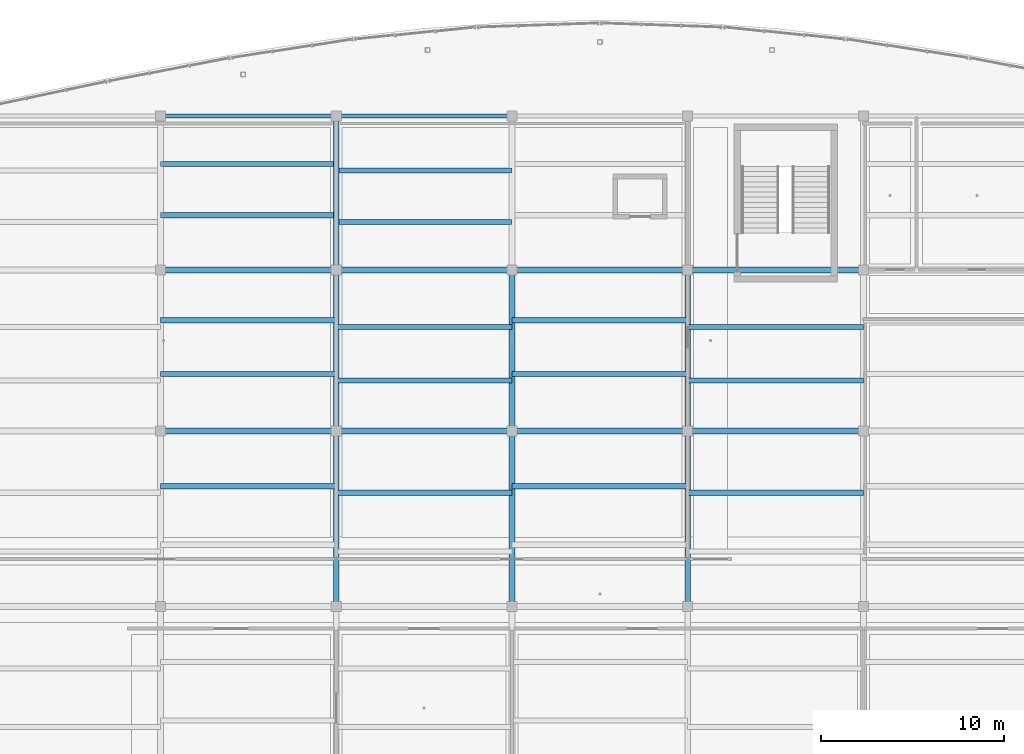
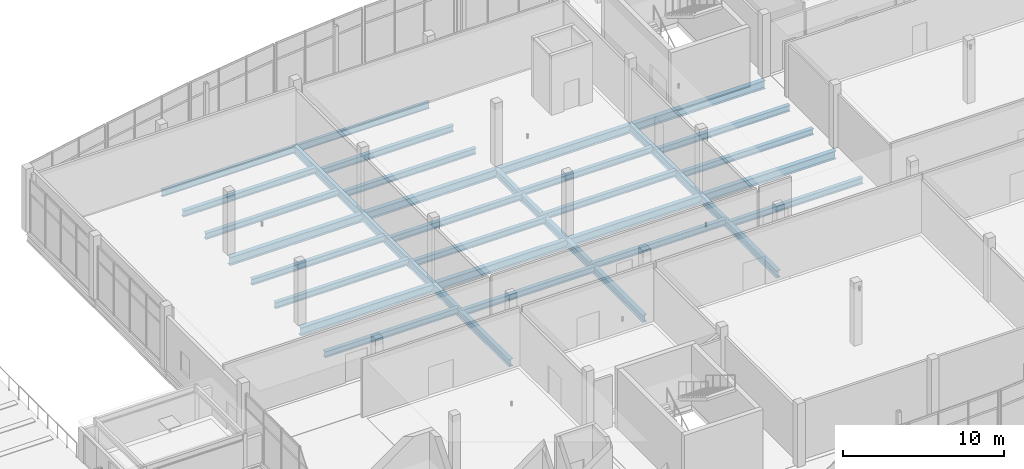
# One storey, part 93 of 157: 33 beams.
"""IFC4 building model written with IfcOpenShell, lengths in metres."""

from ifc_helpers import new_model, si_unit, direction, frame, origin, origin_2d, place, context, subcontext, project, spatial, i_section, extrude, material, material_profile, profile_set, type_object, element, save


model = new_model("IFC4")

# Units and contexts
model_context = context("Model", 3, precision=1e-05, world=origin(), true_north=direction((0.0, 1.0)))
body_context = subcontext(model_context, "Body", "Model", "MODEL_VIEW")
ifc_project = project(units=[si_unit("LENGTHUNIT", "METRE"), si_unit("AREAUNIT", "SQUARE_METRE"), si_unit("VOLUMEUNIT", "CUBIC_METRE"), si_unit("PLANEANGLEUNIT", "RADIAN"), si_unit("MASSUNIT", "GRAM", prefix="KILO")], contexts=[model_context])

# Site, building, storey
site_placement = place(None, origin())
site = spatial("IfcSite", under=ifc_project, at=site_placement, CompositionType="ELEMENT")
building_placement = place(site_placement, origin())
building = spatial("IfcBuilding", under=site, at=building_placement, Name="Chalmorin Arch Market", CompositionType="ELEMENT")
storey_placement = place(building_placement, frame((0.0, 0.0, 4.800048828125)))
storey = spatial("IfcBuildingStorey", under=building, at=storey_placement, Name="L01", CompositionType="ELEMENT", Elevation=4.800048828125)

# Beams
ifc_material = material(Name="Steel A992 Grade 50", Category="steel")
ifc_material_profile_1 = material_profile(ifc_material, i_section(OverallWidth=0.326904296875, OverallDepth=0.6220703125, WebThickness=0.015380859375, FlangeThickness=0.0244140625, FilletRadius=0.02392578125, at=origin_2d()), Name="W24X131")
ifc_profile_set_1 = profile_set([ifc_material_profile_1], Name="Steel A992 Grade 50")
beam_type_1 = type_object("IfcBeamType", Name="HeavyFloorGirder-W24X131", PredefinedType="BEAM", material=ifc_profile_set_1)
for number, where, z_axis, x_axis, name in (
    (1, (57.60009765625, 100.800048828125, -0.633056640625), (1.0, 0.0, 0.0), (0.0, 1.0, 0.0), "BG-W24C-0899"),
    (2, (57.60009765625, 109.60009765625, -0.633056640625), (1.0, 0.0, 0.0), (0.0, 1.0, 0.0), "BG-W24C-0901"),
):
    element("IfcBeam", number, at=place(storey_placement, frame(where, z_axis=z_axis, x_axis=x_axis)), inside=storey, type_object=beam_type_1, Name=name, PredefinedType="BEAM", context=body_context, shape_type="SweptSolid", body=[
        extrude(i_section(OverallWidth=0.326904296875, OverallDepth=0.6220703125, WebThickness=0.015380859375, FlangeThickness=0.0244140625, FilletRadius=0.02392578125, at=origin_2d()), origin(), (0.0, 0.0, 1.0), 9.599853515625),
    ])
for number, where, z_axis, x_axis, name in (
    (3, (67.199951171875, 100.800048828125, -0.633056640625), (1.0, 0.0, 0.0), (0.0, 1.0, 0.0), "BG-W24C-0910"),
    (4, (67.199951171875, 109.60009765625, -0.633056640625), (1.0, 0.0, 0.0), (0.0, 1.0, 0.0), "BG-W24C-0912"),
):
    element("IfcBeam", number, at=place(storey_placement, frame(where, z_axis=z_axis, x_axis=x_axis)), inside=storey, type_object=beam_type_1, Name=name, PredefinedType="BEAM", context=body_context, shape_type="SweptSolid", body=[
        extrude(i_section(OverallWidth=0.326904296875, OverallDepth=0.6220703125, WebThickness=0.015380859375, FlangeThickness=0.0244140625, FilletRadius=0.02392578125, at=origin_2d()), origin(), (0.0, 0.0, 1.0), 9.60009765625),
    ])
for number, where, z_axis, x_axis, name in (
    (5, (76.800048828125, 100.800048828125, -0.633056640625), (1.0, 0.0, 0.0), (0.0, 1.0, 0.0), "BG-W24C-0921"),
    (6, (76.800048828125, 109.60009765625, -0.633056640625), (1.0, 0.0, 0.0), (0.0, 1.0, 0.0), "BG-W24C-0923"),
):
    element("IfcBeam", number, at=place(storey_placement, frame(where, z_axis=z_axis, x_axis=x_axis)), inside=storey, type_object=beam_type_1, Name=name, PredefinedType="BEAM", context=body_context, shape_type="SweptSolid", body=[
        extrude(i_section(OverallWidth=0.326904296875, OverallDepth=0.6220703125, WebThickness=0.015380859375, FlangeThickness=0.0244140625, FilletRadius=0.02392578125, at=origin_2d()), origin(), (0.0, 0.0, 1.0), 9.599853515625),
    ])
for number, where, z_axis, x_axis, name in (
    (7, (86.39990234375, 100.800048828125, -0.633056640625), (1.0, 0.0, 0.0), (0.0, 1.0, 0.0), "BG-W24C-0932"),
    (8, (86.39990234375, 109.60009765625, -0.633056640625), (1.0, 0.0, 0.0), (0.0, 1.0, 0.0), "BG-W24C-0934"),
):
    element("IfcBeam", number, at=place(storey_placement, frame(where, z_axis=z_axis, x_axis=x_axis)), inside=storey, type_object=beam_type_1, Name=name, PredefinedType="BEAM", context=body_context, shape_type="SweptSolid", body=[
        extrude(i_section(OverallWidth=0.326904296875, OverallDepth=0.6220703125, WebThickness=0.015380859375, FlangeThickness=0.0244140625, FilletRadius=0.02392578125, at=origin_2d()), origin(), (0.0, 0.0, 1.0), 9.60009765625),
    ])
ifc_material_profile_2 = material_profile(ifc_material, i_section(OverallWidth=0.31201171875, OverallDepth=0.54296875, WebThickness=0.0126953125, FlangeThickness=0.020263671875, FilletRadius=0.02197265625, at=origin_2d()), Name="W21X101")
ifc_profile_set_2 = profile_set([ifc_material_profile_2], Name="Steel A992 Grade 50")
beam_type_2 = type_object("IfcBeamType", Name="KitchenSteelGirder-W21X101", PredefinedType="BEAM", material=ifc_profile_set_2)
beam_1_placement = place(storey_placement, frame((67.199951171875, 91.199951171875, -0.593505859375), z_axis=(0.0, 1.0, 0.0), x_axis=(-1.0, 0.0, 0.0)))
element("IfcBeam", 9, at=beam_1_placement, inside=storey, type_object=beam_type_2, Name="BG-W21C-0900", PredefinedType="BEAM", context=body_context, shape_type="SweptSolid", body=[
    extrude(i_section(OverallWidth=0.31201171875, OverallDepth=0.54296875, WebThickness=0.0126953125, FlangeThickness=0.020263671875, FilletRadius=0.02197265625, at=origin_2d()), origin(), (0.0, 0.0, 1.0), 9.60009765625),
])
beam_2_placement = place(storey_placement, frame((67.199951171875, 100.800048828125, -0.593505859375), z_axis=(0.0, 1.0, 0.0), x_axis=(-1.0, 0.0, 0.0)))
element("IfcBeam", 10, at=beam_2_placement, inside=storey, type_object=beam_type_2, Name="BG-W21C-0902", PredefinedType="BEAM", context=body_context, shape_type="SweptSolid", body=[
    extrude(i_section(OverallWidth=0.31201171875, OverallDepth=0.54296875, WebThickness=0.0126953125, FlangeThickness=0.020263671875, FilletRadius=0.02197265625, at=origin_2d()), origin(), (0.0, 0.0, 1.0), 8.800048828125),
])
beam_3_placement = place(storey_placement, frame((67.199951171875, 109.60009765625, -0.593505859375), z_axis=(0.0, 1.0, 0.0), x_axis=(-1.0, 0.0, 0.0)))
element("IfcBeam", 11, at=beam_3_placement, inside=storey, type_object=beam_type_2, Name="BG-W21C-0904", PredefinedType="BEAM", context=body_context, shape_type="SweptSolid", body=[
    extrude(i_section(OverallWidth=0.31201171875, OverallDepth=0.54296875, WebThickness=0.0126953125, FlangeThickness=0.020263671875, FilletRadius=0.02197265625, at=origin_2d()), origin(), (0.0, 0.0, 1.0), 8.39990234375),
])
beam_4_placement = place(storey_placement, frame((76.800048828125, 91.199951171875, -0.593505859375), z_axis=(0.0, 1.0, 0.0), x_axis=(-1.0, 0.0, 0.0)))
element("IfcBeam", 12, at=beam_4_placement, inside=storey, type_object=beam_type_2, Name="BG-W21C-0911", PredefinedType="BEAM", context=body_context, shape_type="SweptSolid", body=[
    extrude(i_section(OverallWidth=0.31201171875, OverallDepth=0.54296875, WebThickness=0.0126953125, FlangeThickness=0.020263671875, FilletRadius=0.02197265625, at=origin_2d()), origin(), (0.0, 0.0, 1.0), 9.60009765625),
])
beam_5_placement = place(storey_placement, frame((76.800048828125, 100.800048828125, -0.593505859375), z_axis=(0.0, 1.0, 0.0), x_axis=(-1.0, 0.0, 0.0)))
element("IfcBeam", 13, at=beam_5_placement, inside=storey, type_object=beam_type_2, Name="BG-W21C-0913", PredefinedType="BEAM", context=body_context, shape_type="SweptSolid", body=[
    extrude(i_section(OverallWidth=0.31201171875, OverallDepth=0.54296875, WebThickness=0.0126953125, FlangeThickness=0.020263671875, FilletRadius=0.02197265625, at=origin_2d()), origin(), (0.0, 0.0, 1.0), 8.800048828125),
])
beam_6_placement = place(storey_placement, frame((86.39990234375, 91.199951171875, -0.593505859375), z_axis=(0.0, 1.0, 0.0), x_axis=(-1.0, 0.0, 0.0)))
element("IfcBeam", 14, at=beam_6_placement, inside=storey, type_object=beam_type_2, Name="BG-W21C-0922", PredefinedType="BEAM", context=body_context, shape_type="SweptSolid", body=[
    extrude(i_section(OverallWidth=0.31201171875, OverallDepth=0.54296875, WebThickness=0.0126953125, FlangeThickness=0.020263671875, FilletRadius=0.02197265625, at=origin_2d()), origin(), (0.0, 0.0, 1.0), 9.60009765625),
])
beam_7_placement = place(storey_placement, frame((86.39990234375, 100.800048828125, -0.593505859375), z_axis=(0.0, 1.0, 0.0), x_axis=(-1.0, 0.0, 0.0)))
element("IfcBeam", 15, at=beam_7_placement, inside=storey, type_object=beam_type_2, Name="BG-W21C-0924", PredefinedType="BEAM", context=body_context, shape_type="SweptSolid", body=[
    extrude(i_section(OverallWidth=0.31201171875, OverallDepth=0.54296875, WebThickness=0.0126953125, FlangeThickness=0.020263671875, FilletRadius=0.02197265625, at=origin_2d()), origin(), (0.0, 0.0, 1.0), 8.800048828125),
])
ifc_material_profile_3 = material_profile(ifc_material, i_section(OverallWidth=0.208984375, OverallDepth=0.532958984375, WebThickness=0.01025390625, FlangeThickness=0.015625, FilletRadius=0.02197265625, at=origin_2d()), Name="W21X62")
ifc_profile_set_3 = profile_set([ifc_material_profile_3], Name="Steel A992 Grade 50")
beam_type_3 = type_object("IfcBeamType", Name="PerimeterSpandrelBeam-W21X62", PredefinedType="SPANDREL", material=ifc_profile_set_3)
beam_8_placement = place(storey_placement, frame((57.60009765625, 118.0, -0.588623046875), z_axis=(1.0, 0.0, 0.0), x_axis=(0.0, 1.0, 0.0)))
element("IfcBeam", 16, at=beam_8_placement, inside=storey, type_object=beam_type_3, Name="SP-W21-0903", PredefinedType="SPANDREL", context=body_context, shape_type="SweptSolid", body=[
    extrude(i_section(OverallWidth=0.208984375, OverallDepth=0.532958984375, WebThickness=0.01025390625, FlangeThickness=0.015625, FilletRadius=0.02197265625, at=origin_2d()), origin(), (0.0, 0.0, 1.0), 9.599853515625),
])
beam_9_placement = place(storey_placement, frame((67.199951171875, 118.0, -0.588623046875), z_axis=(1.0, 0.0, 0.0), x_axis=(0.0, 1.0, 0.0)))
element("IfcBeam", 17, at=beam_9_placement, inside=storey, type_object=beam_type_3, Name="SP-W21-0914", PredefinedType="SPANDREL", context=body_context, shape_type="SweptSolid", body=[
    extrude(i_section(OverallWidth=0.208984375, OverallDepth=0.532958984375, WebThickness=0.01025390625, FlangeThickness=0.015625, FilletRadius=0.02197265625, at=origin_2d()), origin(), (0.0, 0.0, 1.0), 9.60009765625),
])
ifc_material_profile_4 = material_profile(ifc_material, i_section(OverallWidth=0.280029296875, OverallDepth=0.462890625, WebThickness=0.0107421875, FlangeThickness=0.017333984375, FilletRadius=0.02001953125, at=origin_2d()), Name="W18X76")
ifc_profile_set_4 = profile_set([ifc_material_profile_4], Name="Steel A992 Grade 50")
beam_type_4 = type_object("IfcBeamType", Name="WorkshopSteelBeam-W18X76", PredefinedType="BEAM", material=ifc_profile_set_4)
for number, where, z_axis, x_axis, name in (
    (18, (57.60009765625, 97.780029296875, -0.553466796875), (1.0, 0.0, 0.0), (0.0, 1.0, 0.0), "BM-W18C-0973"),
    (19, (57.60009765625, 103.913330078125, -0.553466796875), (1.0, 0.0, 0.0), (0.0, 1.0, 0.0), "BM-W18C-0974"),
    (20, (57.60009765625, 106.8466796875, -0.553466796875), (1.0, 0.0, 0.0), (0.0, 1.0, 0.0), "BM-W18C-0975"),
    (21, (57.60009765625, 112.580078125, -0.553466796875), (1.0, 0.0, 0.0), (0.0, 1.0, 0.0), "BM-W18C-0976"),
    (22, (57.60009765625, 115.3798828125, -0.553466796875), (1.0, 0.0, 0.0), (0.0, 1.0, 0.0), "BM-W18C-0977"),
):
    element("IfcBeam", number, at=place(storey_placement, frame(where, z_axis=z_axis, x_axis=x_axis)), inside=storey, type_object=beam_type_4, Name=name, PredefinedType="BEAM", context=body_context, shape_type="SweptSolid", body=[
        extrude(i_section(OverallWidth=0.280029296875, OverallDepth=0.462890625, WebThickness=0.0107421875, FlangeThickness=0.017333984375, FilletRadius=0.02001953125, at=origin_2d()), origin(), (0.0, 0.0, 1.0), 9.599853515625),
    ])
for number, where, z_axis, x_axis, name in (
    (23, (67.199951171875, 97.419921875, -0.553466796875), (1.0, 0.0, 0.0), (0.0, 1.0, 0.0), "BM-W18C-0981"),
    (24, (67.199951171875, 103.55322265625, -0.553466796875), (1.0, 0.0, 0.0), (0.0, 1.0, 0.0), "BM-W18C-0982"),
    (25, (67.199951171875, 106.48681640625, -0.553466796875), (1.0, 0.0, 0.0), (0.0, 1.0, 0.0), "BM-W18C-0983"),
    (26, (67.199951171875, 112.219970703125, -0.553466796875), (1.0, 0.0, 0.0), (0.0, 1.0, 0.0), "BM-W18C-0984"),
    (27, (67.199951171875, 115.02001953125, -0.553466796875), (1.0, 0.0, 0.0), (0.0, 1.0, 0.0), "BM-W18C-0985"),
):
    element("IfcBeam", number, at=place(storey_placement, frame(where, z_axis=z_axis, x_axis=x_axis)), inside=storey, type_object=beam_type_4, Name=name, PredefinedType="BEAM", context=body_context, shape_type="SweptSolid", body=[
        extrude(i_section(OverallWidth=0.280029296875, OverallDepth=0.462890625, WebThickness=0.0107421875, FlangeThickness=0.017333984375, FilletRadius=0.02001953125, at=origin_2d()), origin(), (0.0, 0.0, 1.0), 9.60009765625),
    ])
for number, where, z_axis, x_axis, name in (
    (28, (76.800048828125, 97.780029296875, -0.553466796875), (1.0, 0.0, 0.0), (0.0, 1.0, 0.0), "BM-W18C-0991"),
    (29, (76.800048828125, 103.913330078125, -0.553466796875), (1.0, 0.0, 0.0), (0.0, 1.0, 0.0), "BM-W18C-0992"),
    (30, (76.800048828125, 106.8466796875, -0.553466796875), (1.0, 0.0, 0.0), (0.0, 1.0, 0.0), "BM-W18C-0993"),
):
    element("IfcBeam", number, at=place(storey_placement, frame(where, z_axis=z_axis, x_axis=x_axis)), inside=storey, type_object=beam_type_4, Name=name, PredefinedType="BEAM", context=body_context, shape_type="SweptSolid", body=[
        extrude(i_section(OverallWidth=0.280029296875, OverallDepth=0.462890625, WebThickness=0.0107421875, FlangeThickness=0.017333984375, FilletRadius=0.02001953125, at=origin_2d()), origin(), (0.0, 0.0, 1.0), 9.599853515625),
    ])
for number, where, z_axis, x_axis, name in (
    (31, (86.39990234375, 97.419921875, -0.553466796875), (1.0, 0.0, 0.0), (0.0, 1.0, 0.0), "BM-W18C-1001"),
    (32, (86.39990234375, 103.55322265625, -0.553466796875), (1.0, 0.0, 0.0), (0.0, 1.0, 0.0), "BM-W18C-1002"),
    (33, (86.39990234375, 106.48681640625, -0.553466796875), (1.0, 0.0, 0.0), (0.0, 1.0, 0.0), "BM-W18C-1003"),
):
    element("IfcBeam", number, at=place(storey_placement, frame(where, z_axis=z_axis, x_axis=x_axis)), inside=storey, type_object=beam_type_4, Name=name, PredefinedType="BEAM", context=body_context, shape_type="SweptSolid", body=[
        extrude(i_section(OverallWidth=0.280029296875, OverallDepth=0.462890625, WebThickness=0.0107421875, FlangeThickness=0.017333984375, FilletRadius=0.02001953125, at=origin_2d()), origin(), (0.0, 0.0, 1.0), 9.60009765625),
    ])

save(model, "model.ifc")
